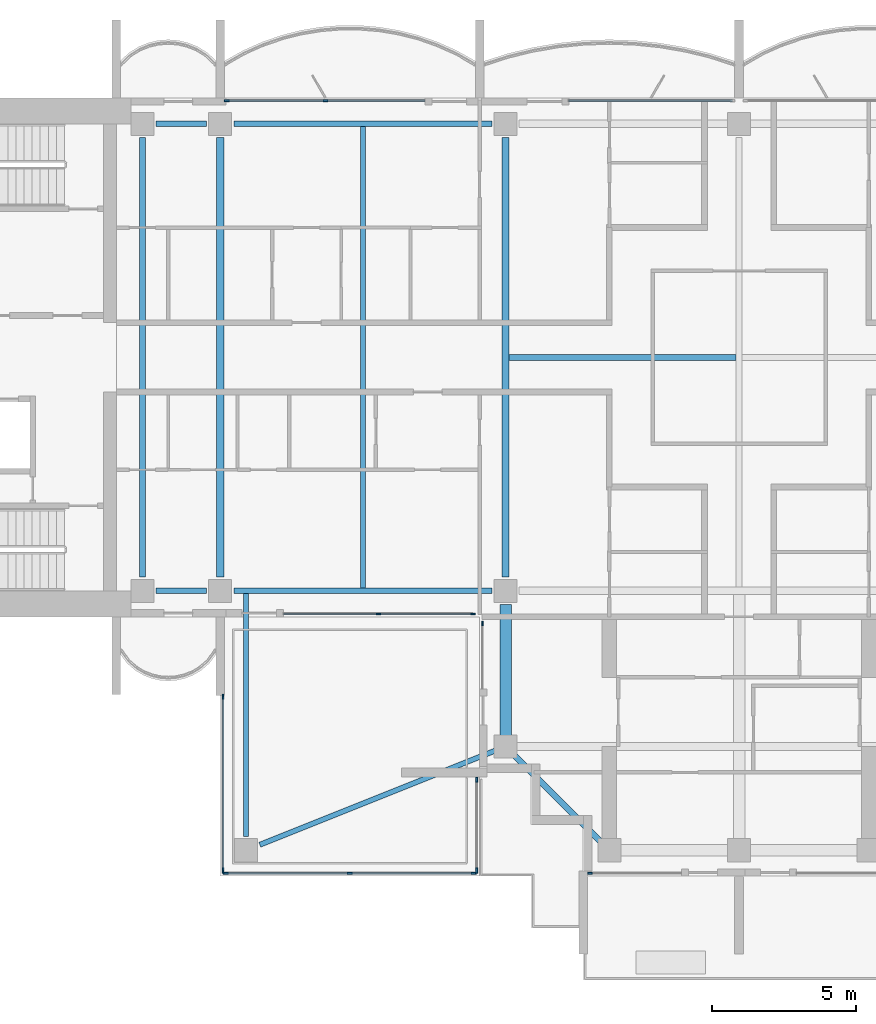
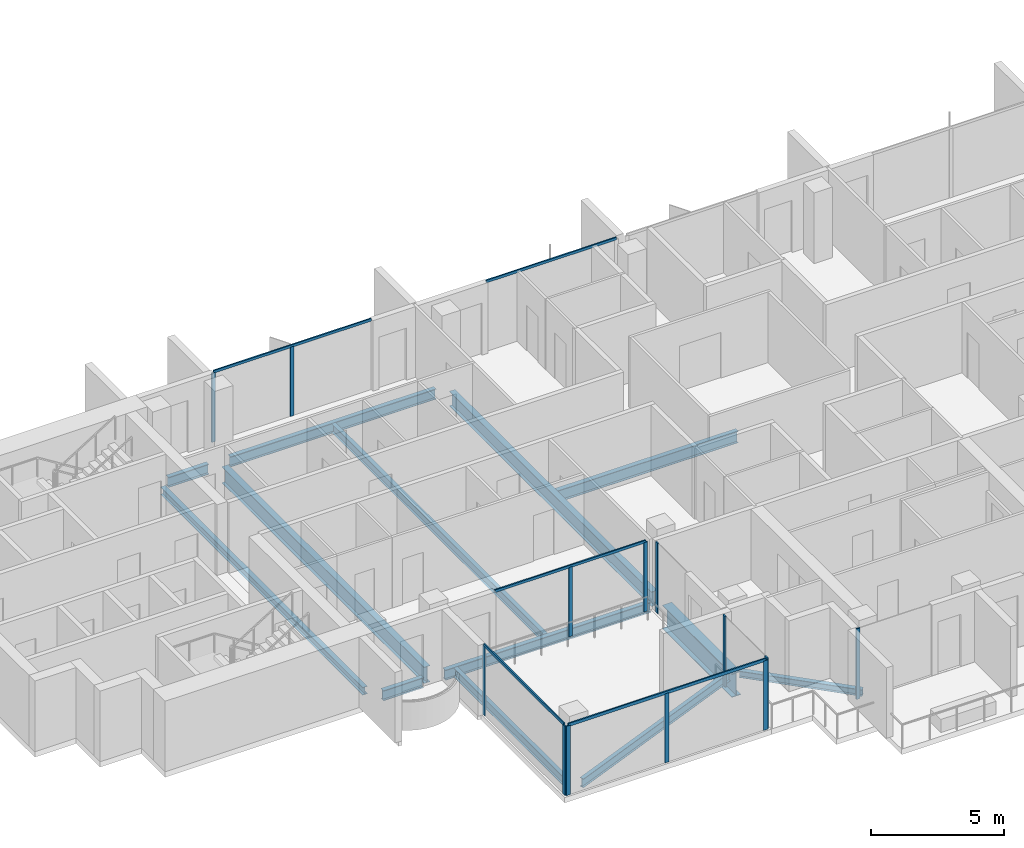
# One storey, part 2 of 16: 18 members, 13 beams, 8 elements without a shape of their own.
"""IFC4 building model written with IfcOpenShell, lengths in metres."""

import ifcopenshell
import ifcopenshell.guid

model = None  # the IFC model being written
_history = None  # IfcOwnerHistory: only IFC2X3 demands one
_inside = {}  # id of a spatial element -> (the spatial element, [elements in it])
_under = {}  # id of a project, library or spatial element -> (it, [spatial elements below it])
_declared = {}  # id of a project -> (the project, [libraries it declares])
_typed = {}  # id of a type object -> (the type object, [elements of that type])
_made_of = {}  # id of a material, layer set ... -> (it, [elements and type objects made of it])


def new_model(schema):
    """Start an empty IFC model of exactly this schema.

    Asked for "IFC4X3", IfcOpenShell would pick the latest addendum, in which some entities
    have other attributes; the version numbers below select the first issue.
    IFC2X3 requires an IfcOwnerHistory on every rooted entity: one is made here for all.
    """
    global model, _history
    if schema == "IFC4X3":
        model = ifcopenshell.file(schema_version=(4, 3, 0, 0))
    else:
        model = ifcopenshell.file(schema=schema)
    _inside.clear()
    _under.clear()
    _declared.clear()
    _typed.clear()
    _made_of.clear()
    _history = None
    if model.schema == "IFC2X3":
        org = make("IfcOrganization", Name="unknown")
        user = make(
            "IfcPersonAndOrganization",
            ThePerson=make("IfcPerson", FamilyName="unknown"),
            TheOrganization=org,
        )
        app = make(
            "IfcApplication",
            ApplicationDeveloper=org,
            Version="unknown",
            ApplicationFullName="unknown",
            ApplicationIdentifier="unknown",
        )
        _history = make(
            "IfcOwnerHistory",
            OwningUser=user,
            OwningApplication=app,
            ChangeAction="ADDED",
            CreationDate=0,
        )
    return model


def make(cls, **values):
    """One entity of the class cls with the attributes given. An attribute that is None is left unset."""
    return model.create_entity(
        cls, **{name: value for name, value in values.items() if value is not None}
    )


def rooted(cls, **values):
    """An entity with a GlobalId (a new one), such as an element, a storey or a relation."""
    return make(cls, GlobalId=ifcopenshell.guid.new(), OwnerHistory=_history, **values)


def si_unit(unit_type, name, prefix=None):
    """IfcSIUnit, for example si_unit("LENGTHUNIT", "METRE", prefix="MILLI")."""
    return make("IfcSIUnit", UnitType=unit_type, Prefix=prefix, Name=name)


def assignment(units):
    """IfcUnitAssignment: the units of a project."""
    return None if units is None else make("IfcUnitAssignment", Units=units)


def point(xyz):
    """IfcCartesianPoint."""
    return None if xyz is None else make("IfcCartesianPoint", Coordinates=xyz)


def direction(xyz):
    """IfcDirection."""
    return None if xyz is None else make("IfcDirection", DirectionRatios=xyz)


def frame(location, z_axis=None, x_axis=None):
    """IfcAxis2Placement3D, a coordinate frame: its origin and axes. An axis left out is left unset."""
    return make(
        "IfcAxis2Placement3D",
        Location=point(location),
        Axis=direction(z_axis),
        RefDirection=direction(x_axis),
    )


def frame_2d(location, x_axis=None):
    """IfcAxis2Placement2D, a coordinate frame in the plane: its origin and x axis."""
    return make(
        "IfcAxis2Placement2D", Location=point(location), RefDirection=direction(x_axis)
    )


def origin():
    """The frame at (0, 0, 0) with its axes left unset."""
    return frame((0.0, 0.0, 0.0))


def origin_2d():
    """The frame at (0, 0) in the plane with its x axis left unset."""
    return frame_2d((0.0, 0.0))


def place(relative_to, where):
    """IfcLocalPlacement: puts the frame where relative to a parent placement (None: the world)."""
    return make(
        "IfcLocalPlacement", PlacementRelTo=relative_to, RelativePlacement=where
    )


def context(
    kind, dimensions, precision=None, world=None, true_north=None, identifier=None
):
    """IfcGeometricRepresentationContext, for example the 3D "Model" context."""
    return make(
        "IfcGeometricRepresentationContext",
        ContextIdentifier=identifier,
        ContextType=kind,
        CoordinateSpaceDimension=dimensions,
        Precision=precision,
        WorldCoordinateSystem=world,
        TrueNorth=true_north,
    )


def subcontext(parent, identifier, kind, view, scale=None):
    """IfcGeometricRepresentationSubContext, for example "Body" below "Model"."""
    return make(
        "IfcGeometricRepresentationSubContext",
        ContextIdentifier=identifier,
        ContextType=kind,
        ParentContext=parent,
        TargetScale=scale,
        TargetView=view,
    )


def project(units=None, contexts=None):
    """IfcProject with its units and contexts."""
    return rooted(
        "IfcProject",
        Name="project",
        RepresentationContexts=contexts,
        UnitsInContext=assignment(units),
    )


def spatial(cls, under=None, at=None, **own):
    """A site, building, storey or space (cls), placed at a placement, below another one or the project."""
    s = rooted(cls, ObjectPlacement=at, **own)
    if under is not None:
        _under.setdefault(under.id(), (under, []))[1].append(s)
    return s


def profile(cls, at=None, kind="AREA", **sizes):
    """A parametric profile (cls). Its sizes go by their IFC names, for example OverallWidth=200.0."""
    return make(cls, ProfileType=kind, Position=at, **sizes)


def rectangle(**sizes):
    """IfcRectangleProfileDef."""
    return profile("IfcRectangleProfileDef", **sizes)


def i_section(**sizes):
    """IfcIShapeProfileDef."""
    return profile("IfcIShapeProfileDef", **sizes)


def extrude(swept, where, along, depth):
    """IfcExtrudedAreaSolid: the profile swept, set in the frame where, extruded along a direction by depth."""
    return make(
        "IfcExtrudedAreaSolid",
        SweptArea=swept,
        Position=where,
        ExtrudedDirection=direction(along),
        Depth=depth,
    )


def shape(context_of_items, identifier, shape_type, items):
    """IfcShapeRepresentation: the items that make up one representation, for example the "Body"."""
    return make(
        "IfcShapeRepresentation",
        ContextOfItems=context_of_items,
        RepresentationIdentifier=identifier,
        RepresentationType=shape_type,
        Items=items,
    )


def material(Name=None, Category=None):
    """IfcMaterial."""
    return make("IfcMaterial", Name=Name, Category=Category)


def material_profile(
    of_material, cross_section, Name=None, Category=None, Priority=None
):
    """IfcMaterialProfile: a cross section and its material."""
    return make(
        "IfcMaterialProfile",
        Name=Name,
        Material=of_material,
        Profile=cross_section,
        Priority=Priority,
        Category=Category,
    )


def profile_set(profiles, Name=None, composite=None):
    """IfcMaterialProfileSet."""
    return make(
        "IfcMaterialProfileSet",
        Name=Name,
        MaterialProfiles=profiles,
        CompositeProfile=composite,
    )


def made_of(thing, what):
    """Note that an element or type object is made of a material, layer set ...; save() writes the relation."""
    if what is not None:
        _made_of.setdefault(what.id(), (what, []))[1].append(thing)
    return thing


def type_object(cls, material=None, **own):
    """A type object (cls), such as IfcWallType, which elements share."""
    return made_of(rooted(cls, **own), material)


def element(
    cls,
    number,
    at=None,
    inside=None,
    cuts=None,
    type_object=None,
    material=None,
    context=None,
    identifier="Body",
    shape_type=None,
    held_by="IfcProductDefinitionShape",
    body=None,
    shapes=None,
    **own,
):
    """One element of the class cls, such as IfcWall. Its Tag is "e" and its number.

    at: its placement. inside: the storey or other place that contains it. cuts: it is an
    opening in that element (IfcRelVoidsElement). A single representation is given by context,
    identifier, shape_type and body (its items); several are given by shapes. held_by: the class
    of the entity that holds the representations. save() writes the other relations.
    """
    e = rooted(cls, Tag="e%d" % number, ObjectPlacement=at, **own)
    if body is not None:
        shapes = [shape(context, identifier, shape_type, body)]
    if shapes is not None:
        e.Representation = make(held_by, Representations=shapes)
    if inside is not None:
        _inside.setdefault(inside.id(), (inside, []))[1].append(e)
    if cuts is not None:
        rooted(
            "IfcRelVoidsElement", RelatingBuildingElement=cuts, RelatedOpeningElement=e
        )
    if type_object is not None:
        _typed.setdefault(type_object.id(), (type_object, []))[1].append(e)
    return made_of(e, material)


def aggregate(whole, parts):
    """IfcRelAggregates: a whole, such as a stair, and the parts it consists of."""
    return rooted("IfcRelAggregates", RelatingObject=whole, RelatedObjects=parts)


def save(model, path):
    """Write the relations noted so far, then the file.

    IfcRelAggregates (storeys below a building ...), IfcRelContainedInSpatialStructure (elements
    in a storey), IfcRelDefinesByType, IfcRelAssociatesMaterial and IfcRelDeclares: one each for
    every whole, place, type object, material and project.
    """
    for whole, parts in _under.values():
        aggregate(whole, parts)
    for where, things in _inside.values():
        rooted(
            "IfcRelContainedInSpatialStructure",
            RelatedElements=things,
            RelatingStructure=where,
        )
    for kind, things in _typed.values():
        rooted("IfcRelDefinesByType", RelatedObjects=things, RelatingType=kind)
    for what, things in _made_of.values():
        rooted("IfcRelAssociatesMaterial", RelatedObjects=things, RelatingMaterial=what)
    for by, libraries in _declared.values():
        rooted("IfcRelDeclares", RelatingContext=by, RelatedDefinitions=libraries)
    model.write(path)


model = new_model("IFC4")

# Units and contexts
model_context = context("Model", 3, precision=1e-05, world=origin(), true_north=direction((0.0, 1.0)))
body_context = subcontext(model_context, "Body", "Model", "MODEL_VIEW")
ifc_project = project(units=[si_unit("LENGTHUNIT", "METRE"), si_unit("AREAUNIT", "SQUARE_METRE"), si_unit("VOLUMEUNIT", "CUBIC_METRE"), si_unit("PLANEANGLEUNIT", "RADIAN"), si_unit("MASSUNIT", "GRAM", prefix="KILO")], contexts=[model_context])

# Site, building, storey
site_placement = place(None, origin())
site = spatial("IfcSite", under=ifc_project, at=site_placement, CompositionType="ELEMENT")
building_placement = place(site_placement, origin())
building = spatial("IfcBuilding", under=site, at=building_placement, Name="Perihelion Cross Residences", CompositionType="ELEMENT")
storey_placement = place(building_placement, frame((0.0, 0.0, 232.5)))
storey = spatial("IfcBuildingStorey", under=building, at=storey_placement, Name="L58", CompositionType="ELEMENT", Elevation=232.5)

# Curtain wall, members
ifc_material_1 = material(Name="Bronze anodised aluminium, tinted glazing", Category="aluminium")
curtain_wall_type_1 = type_object("IfcCurtainWallType", Name="CW1", PredefinedType="NOTDEFINED", material=ifc_material_1)
curtain_wall_1_placement = place(storey_placement, origin())
curtain_wall_1 = element("IfcCurtainWall", 1, at=curtain_wall_1_placement, inside=storey, type_object=curtain_wall_type_1, Name="Curtain wall CW1 L58 west side north bay 1", PredefinedType="NOTDEFINED")
ifc_material_2 = material(Name="Bronze anodised aluminium", Category="aluminium")
ifc_material_profile_1 = material_profile(ifc_material_2, rectangle(XDim=0.06005859375, YDim=0.159912109375, at=origin_2d()), Name="CW1 mullion")
ifc_profile_set_1 = profile_set([ifc_material_profile_1], Name="Bronze anodised aluminium")
member_type_1 = type_object("IfcMemberType", Name="CW1 mullion", PredefinedType="MULLION", material=ifc_profile_set_1)
member_1_placement = place(storey_placement, frame((-14.35009765625, 8.89990234375, 0.0), z_axis=(0.0, 0.0, 1.0), x_axis=(0.0, -1.0, 0.0)))
member_1 = element("IfcMember", 2, at=member_1_placement, type_object=member_type_1, Name="CW1 mullion 2", PredefinedType="MULLION", context=body_context, shape_type="SweptSolid", body=[
    extrude(rectangle(XDim=0.06005859375, YDim=0.159912109375, at=origin_2d()), origin(), (0.0, 0.0, 1.0), 3.18994140625),
])
member_2_placement = place(storey_placement, frame((-17.77001953125, 8.89990234375, 0.0), z_axis=(0.0, 0.0, 1.0), x_axis=(0.0, -1.0, 0.0)))
member_2 = element("IfcMember", 3, at=member_2_placement, type_object=member_type_1, Name="CW1 mullion 3", PredefinedType="MULLION", context=body_context, shape_type="SweptSolid", body=[
    extrude(rectangle(XDim=0.06005859375, YDim=0.159912109375, at=origin_2d()), origin(), (0.0, 0.0, 1.0), 3.18994140625),
])

curtain_wall_2_placement = place(storey_placement, origin())
curtain_wall_2 = element("IfcCurtainWall", 4, at=curtain_wall_2_placement, inside=storey, type_object=curtain_wall_type_1, Name="Curtain wall CW1 L58 west side south bay 2", PredefinedType="NOTDEFINED")
member_3_placement = place(storey_placement, frame((-12.5, -8.89990234375, 0.0), z_axis=(0.0, 0.0, 1.0), x_axis=(0.0, 1.0, 0.0)))
member_3 = element("IfcMember", 5, at=member_3_placement, type_object=member_type_1, Name="CW1 mullion 2", PredefinedType="MULLION", context=body_context, shape_type="SweptSolid", body=[
    extrude(rectangle(XDim=0.06005859375, YDim=0.159912109375, at=origin_2d()), origin(), (0.0, 0.0, 1.0), 3.18994140625),
])
member_4_placement = place(storey_placement, frame((-9.22998046875, -8.89990234375, 0.0), z_axis=(0.0, 0.0, 1.0), x_axis=(0.0, 1.0, 0.0)))
member_4 = element("IfcMember", 6, at=member_4_placement, type_object=member_type_1, Name="CW1 mullion 3", PredefinedType="MULLION", context=body_context, shape_type="SweptSolid", body=[
    extrude(rectangle(XDim=0.06005859375, YDim=0.159912109375, at=origin_2d()), origin(), (0.0, 0.0, 1.0), 3.18994140625),
])

# Curtain wall, member
curtain_wall_3_placement = place(storey_placement, origin())
curtain_wall_3 = element("IfcCurtainWall", 7, at=curtain_wall_3_placement, inside=storey, type_object=curtain_wall_type_1, Name="Curtain wall CW1 L58 south side west bay 1", PredefinedType="NOTDEFINED")
member_5_placement = place(storey_placement, frame((-8.89990234375, -9.22998046875, 0.0), z_axis=(0.0, 0.0, 1.0), x_axis=(1.0, 0.0, 0.0)))
member_5 = element("IfcMember", 8, at=member_5_placement, type_object=member_type_1, Name="CW1 mullion 1", PredefinedType="MULLION", context=body_context, shape_type="SweptSolid", body=[
    extrude(rectangle(XDim=0.06005859375, YDim=0.159912109375, at=origin_2d()), origin(), (0.0, 0.0, 1.0), 3.25),
])
aggregate(curtain_wall_3, [member_5])

curtain_wall_4_placement = place(storey_placement, origin())
curtain_wall_4 = element("IfcCurtainWall", 9, at=curtain_wall_4_placement, inside=storey, type_object=curtain_wall_type_1, Name="Curtain wall CW1 L58 south tip south bay 1", PredefinedType="NOTDEFINED")
member_6_placement = place(storey_placement, frame((-5.169921875, -17.89990234375, 0.0), z_axis=(0.0, 0.0, 1.0), x_axis=(0.0, 1.0, 0.0)))
member_6 = element("IfcMember", 10, at=member_6_placement, type_object=member_type_1, Name="CW1 mullion 1", PredefinedType="MULLION", context=body_context, shape_type="SweptSolid", body=[
    extrude(rectangle(XDim=0.06005859375, YDim=0.159912109375, at=origin_2d()), origin(), (0.0, 0.0, 1.0), 3.25),
])
aggregate(curtain_wall_4, [member_6])

curtain_wall_5_placement = place(storey_placement, origin())
curtain_wall_5 = element("IfcCurtainWall", 11, at=curtain_wall_5_placement, inside=storey, type_object=curtain_wall_type_1, Name="Curtain wall CW1 L58 north side east bay 2", PredefinedType="NOTDEFINED")
ifc_material_3 = material(Name="Bronze anodised aluminium", Category="aluminium")
ifc_material_profile_2 = material_profile(ifc_material_3, rectangle(XDim=0.06005859375, YDim=0.1201171875, at=origin_2d()), Name="CW1 transom")
ifc_profile_set_2 = profile_set([ifc_material_profile_2], Name="Bronze anodised aluminium")
member_type_2 = type_object("IfcMemberType", Name="CW1 transom", PredefinedType="USERDEFINED", material=ifc_profile_set_2)
member_7_placement = place(storey_placement, frame((-0.22998046875, 8.89990234375, 3.219970703125), z_axis=(-1.0, 0.0, 0.0), x_axis=(0.0, -1.0, 0.0)))
member_7 = element("IfcMember", 12, at=member_7_placement, type_object=member_type_2, Name="CW1 head transom", ObjectType="TRANSOM", PredefinedType="USERDEFINED", context=body_context, shape_type="SweptSolid", body=[
    extrude(rectangle(XDim=0.06005859375, YDim=0.1201171875, at=origin_2d()), origin(), (0.0, 0.0, 1.0), 5.669921875),
])
aggregate(curtain_wall_5, [member_7])

# Member
member_8_placement = place(storey_placement, frame((-10.89990234375, 8.89990234375, 3.219970703125), z_axis=(-1.0, 0.0, 0.0), x_axis=(0.0, -1.0, 0.0)))
member_8 = element("IfcMember", 13, at=member_8_placement, type_object=member_type_2, Name="CW1 head transom", ObjectType="TRANSOM", PredefinedType="USERDEFINED", context=body_context, shape_type="SweptSolid", body=[
    extrude(rectangle(XDim=0.06005859375, YDim=0.1201171875, at=origin_2d()), origin(), (0.0, 0.0, 1.0), 6.8701171875),
])

aggregate(curtain_wall_1, [member_1, member_2, member_8])

member_9_placement = place(storey_placement, frame((-15.800048828125, -8.89990234375, 3.219970703125), z_axis=(1.0, 0.0, 0.0), x_axis=(0.0, 1.0, 0.0)))
member_9 = element("IfcMember", 14, at=member_9_placement, type_object=member_type_2, Name="CW1 head transom", ObjectType="TRANSOM", PredefinedType="USERDEFINED", context=body_context, shape_type="SweptSolid", body=[
    extrude(rectangle(XDim=0.06005859375, YDim=0.1201171875, at=origin_2d()), origin(), (0.0, 0.0, 1.0), 6.570068359375),
])

aggregate(curtain_wall_2, [member_3, member_4, member_9])

# Curtain wall, members
ifc_material_4 = material(Name="Bronze anodised aluminium, tinted glazing", Category="aluminium")
curtain_wall_type_2 = type_object("IfcCurtainWallType", Name="CW4", PredefinedType="NOTDEFINED", material=ifc_material_4)
curtain_wall_6_placement = place(storey_placement, origin())
curtain_wall_6 = element("IfcCurtainWall", 15, at=curtain_wall_6_placement, inside=storey, type_object=curtain_wall_type_2, Name="Curtain wall CW4 L58 pocket south-west 1 1", PredefinedType="NOTDEFINED")
ifc_material_5 = material(Name="Bronze anodised aluminium", Category="aluminium")
ifc_material_profile_3 = material_profile(ifc_material_5, rectangle(XDim=0.06005859375, YDim=0.179931640625, at=origin_2d()), Name="CW4 mullion")
ifc_profile_set_3 = profile_set([ifc_material_profile_3], Name="Bronze anodised aluminium")
member_type_3 = type_object("IfcMemberType", Name="CW4 mullion", PredefinedType="MULLION", material=ifc_profile_set_3)
member_10_placement = place(storey_placement, frame((-9.10009765625, -14.658935546875, 0.0), z_axis=(0.0, 0.0, 1.0), x_axis=(1.0, 0.0, 0.0)))
member_10 = element("IfcMember", 16, at=member_10_placement, type_object=member_type_3, Name="CW4 mullion 1", PredefinedType="MULLION", context=body_context, shape_type="SweptSolid", body=[
    extrude(rectangle(XDim=0.06005859375, YDim=0.179931640625, at=origin_2d()), origin(), (0.0, 0.0, 1.0), 3.25),
])
member_11_placement = place(storey_placement, frame((-9.10009765625, -17.800048828125, 0.0), z_axis=(0.0, 0.0, 1.0), x_axis=(1.0, 0.0, 0.0)))
member_11 = element("IfcMember", 17, at=member_11_placement, type_object=member_type_3, Name="CW4 mullion 2", PredefinedType="MULLION", context=body_context, shape_type="SweptSolid", body=[
    extrude(rectangle(XDim=0.06005859375, YDim=0.179931640625, at=origin_2d()), origin(), (0.0, 0.0, 1.0), 3.25),
])
aggregate(curtain_wall_6, [member_10, member_11])

curtain_wall_7_placement = place(storey_placement, origin())
curtain_wall_7 = element("IfcCurtainWall", 18, at=curtain_wall_7_placement, inside=storey, type_object=curtain_wall_type_2, Name="Curtain wall CW4 L58 pocket south-west 1 2", PredefinedType="NOTDEFINED")
member_12_placement = place(storey_placement, frame((-9.199951171875, -17.89990234375, 0.0), z_axis=(0.0, 0.0, 1.0), x_axis=(0.0, -1.0, 0.0)))
member_12 = element("IfcMember", 19, at=member_12_placement, type_object=member_type_3, Name="CW4 mullion 1", PredefinedType="MULLION", context=body_context, shape_type="SweptSolid", body=[
    extrude(rectangle(XDim=0.06005859375, YDim=0.179931640625, at=origin_2d()), origin(), (0.0, 0.0, 1.0), 3.18994140625),
])
member_13_placement = place(storey_placement, frame((-13.5, -17.89990234375, 0.0), z_axis=(0.0, 0.0, 1.0), x_axis=(0.0, -1.0, 0.0)))
member_13 = element("IfcMember", 20, at=member_13_placement, type_object=member_type_3, Name="CW4 mullion 2", PredefinedType="MULLION", context=body_context, shape_type="SweptSolid", body=[
    extrude(rectangle(XDim=0.06005859375, YDim=0.179931640625, at=origin_2d()), origin(), (0.0, 0.0, 1.0), 3.18994140625),
])
member_14_placement = place(storey_placement, frame((-17.800048828125, -17.89990234375, 0.0), z_axis=(0.0, 0.0, 1.0), x_axis=(0.0, -1.0, 0.0)))
member_14 = element("IfcMember", 21, at=member_14_placement, type_object=member_type_3, Name="CW4 mullion 3", PredefinedType="MULLION", context=body_context, shape_type="SweptSolid", body=[
    extrude(rectangle(XDim=0.06005859375, YDim=0.179931640625, at=origin_2d()), origin(), (0.0, 0.0, 1.0), 3.18994140625),
])

curtain_wall_8_placement = place(storey_placement, origin())
curtain_wall_8 = element("IfcCurtainWall", 22, at=curtain_wall_8_placement, inside=storey, type_object=curtain_wall_type_2, Name="Curtain wall CW4 L58 pocket south-west 1 3", PredefinedType="NOTDEFINED")
member_15_placement = place(storey_placement, frame((-17.89990234375, -17.800048828125, 0.0), z_axis=(0.0, 0.0, 1.0), x_axis=(-1.0, 0.0, 0.0)))
member_15 = element("IfcMember", 23, at=member_15_placement, type_object=member_type_3, Name="CW4 mullion 1", PredefinedType="MULLION", context=body_context, shape_type="SweptSolid", body=[
    extrude(rectangle(XDim=0.06005859375, YDim=0.179931640625, at=origin_2d()), origin(), (0.0, 0.0, 1.0), 3.18994140625),
])
member_16_placement = place(storey_placement, frame((-17.89990234375, -11.77001953125, 0.0), z_axis=(0.0, 0.0, 1.0), x_axis=(-1.0, 0.0, 0.0)))
member_16 = element("IfcMember", 24, at=member_16_placement, type_object=member_type_3, Name="CW4 mullion 2", PredefinedType="MULLION", context=body_context, shape_type="SweptSolid", body=[
    extrude(rectangle(XDim=0.06005859375, YDim=0.179931640625, at=origin_2d()), origin(), (0.0, 0.0, 1.0), 3.18994140625),
])

# Member
ifc_material_6 = material(Name="Bronze anodised aluminium", Category="aluminium")
ifc_material_profile_4 = material_profile(ifc_material_6, rectangle(XDim=0.06005859375, YDim=0.139892578125, at=origin_2d()), Name="CW4 transom")
ifc_profile_set_4 = profile_set([ifc_material_profile_4], Name="Bronze anodised aluminium")
member_type_4 = type_object("IfcMemberType", Name="CW4 transom", PredefinedType="USERDEFINED", material=ifc_profile_set_4)
member_17_placement = place(storey_placement, frame((-9.199951171875, -17.89990234375, 3.219970703125), z_axis=(-1.0, 0.0, 0.0), x_axis=(0.0, -1.0, 0.0)))
member_17 = element("IfcMember", 25, at=member_17_placement, type_object=member_type_4, Name="CW4 head transom", ObjectType="TRANSOM", PredefinedType="USERDEFINED", context=body_context, shape_type="SweptSolid", body=[
    extrude(rectangle(XDim=0.06005859375, YDim=0.139892578125, at=origin_2d()), origin(), (0.0, 0.0, 1.0), 8.60009765625),
])

aggregate(curtain_wall_7, [member_12, member_13, member_14, member_17])

member_18_placement = place(storey_placement, frame((-17.89990234375, -17.800048828125, 3.219970703125), z_axis=(0.0, 1.0, 0.0), x_axis=(-1.0, 0.0, 0.0)))
member_18 = element("IfcMember", 26, at=member_18_placement, type_object=member_type_4, Name="CW4 head transom", ObjectType="TRANSOM", PredefinedType="USERDEFINED", context=body_context, shape_type="SweptSolid", body=[
    extrude(rectangle(XDim=0.06005859375, YDim=0.139892578125, at=origin_2d()), origin(), (0.0, 0.0, 1.0), 6.030029296875),
])

aggregate(curtain_wall_8, [member_15, member_16, member_18])

# Beams
ifc_material_7 = material(Name="Steel S355", Category="steel")
ifc_material_profile_5 = material_profile(ifc_material_7, i_section(OverallWidth=0.205078125, OverallDepth=0.35302734375, WebThickness=0.009521484375, FlangeThickness=0.016845703125, at=origin_2d()), Name="W360x79")
ifc_profile_set_5 = profile_set([ifc_material_profile_5], Name="Steel S355")
beam_type_1 = type_object("IfcBeamType", Name="Core edge beam W360x79", PredefinedType="BEAM", material=ifc_profile_set_5)
beam_1_placement = place(storey_placement, frame((-20.699951171875, -7.625, -0.426513671875), z_axis=(0.0, 1.0, 0.0), x_axis=(-1.0, 0.0, 0.0)))
element("IfcBeam", 27, at=beam_1_placement, inside=storey, type_object=beam_type_1, Name="Core edge beam TB7 L58 no. 1", PredefinedType="BEAM", context=body_context, shape_type="SweptSolid", body=[
    extrude(i_section(OverallWidth=0.205078125, OverallDepth=0.35302734375, WebThickness=0.009521484375, FlangeThickness=0.016845703125, at=origin_2d()), origin(), (0.0, 0.0, 1.0), 15.25),
])
ifc_material_8 = material(Name="Steel S355", Category="steel")
ifc_material_profile_6 = material_profile(ifc_material_8, i_section(OverallWidth=0.177978515625, OverallDepth=0.406005859375, WebThickness=0.0078125, FlangeThickness=0.0126953125, at=origin_2d()), Name="W410x60")
ifc_profile_set_6 = profile_set([ifc_material_profile_6], Name="Steel S355")
beam_type_2 = type_object("IfcBeamType", Name="Core edge beam W410x60", PredefinedType="BEAM", material=ifc_profile_set_6)
beam_2_placement = place(storey_placement, frame((-17.10009765625, -8.197021484375, -0.452880859375), z_axis=(0.0, -1.0, 0.0), x_axis=(1.0, 0.0, 0.0)))
element("IfcBeam", 28, at=beam_2_placement, inside=storey, type_object=beam_type_2, Name="Core edge beam TB2 L58 corner no. 1", PredefinedType="BEAM", context=body_context, shape_type="SweptSolid", body=[
    extrude(i_section(OverallWidth=0.177978515625, OverallDepth=0.406005859375, WebThickness=0.0078125, FlangeThickness=0.0126953125, at=origin_2d()), origin(), (0.0, 0.0, 1.0), 8.427978515625),
])
beam_3_placement = place(storey_placement, frame((-8.300537109375, -13.580078125, -0.452880859375), z_axis=(-0.928474812915, -0.371395371245, 0.0), x_axis=(0.371395371245, -0.928474812915, 0.0)))
element("IfcBeam", 29, at=beam_3_placement, inside=storey, type_object=beam_type_2, Name="Core edge beam TB2 L58 corner no. 2", PredefinedType="BEAM", context=body_context, shape_type="SweptSolid", body=[
    extrude(i_section(OverallWidth=0.177978515625, OverallDepth=0.406005859375, WebThickness=0.0078125, FlangeThickness=0.0126953125, at=origin_2d()), origin(), (0.0, 0.0, 1.0), 8.9658203125),
])
ifc_material_9 = material(Name="Steel S355", Category="steel")
ifc_material_profile_7 = material_profile(ifc_material_9, i_section(OverallWidth=0.194091796875, OverallDepth=0.469970703125, WebThickness=0.0126953125, FlangeThickness=0.0205078125, at=origin_2d()), Name="W460x106")
ifc_profile_set_7 = profile_set([ifc_material_profile_7], Name="Steel S355")
beam_type_3 = type_object("IfcBeamType", Name="Edge beam W460x106", PredefinedType="SPANDREL", material=ifc_profile_set_7)
beam_4_placement = place(storey_placement, frame((-8.574951171875, 8.10009765625, -0.485107421875), z_axis=(-1.0, 0.0, 0.0), x_axis=(0.0, -1.0, 0.0)))
element("IfcBeam", 30, at=beam_4_placement, inside=storey, type_object=beam_type_3, Name="Edge beam SB5 L58 no. 4", PredefinedType="SPANDREL", context=body_context, shape_type="SweptSolid", body=[
    extrude(i_section(OverallWidth=0.194091796875, OverallDepth=0.469970703125, WebThickness=0.0126953125, FlangeThickness=0.0205078125, at=origin_2d()), origin(), (0.0, 0.0, 1.0), 8.949951171875),
])
for number, where, z_axis, x_axis, name in (
    (31, (-18.47509765625, 8.10009765625, -0.485107421875), (-1.0, 0.0, 0.0), (0.0, -1.0, 0.0), "Edge beam SB5 L58 no. 2"),
    (32, (-20.22509765625, -8.10009765625, -0.485107421875), (1.0, 0.0, 0.0), (0.0, 1.0, 0.0), "Edge beam SB5 L58 no. 3"),
):
    element("IfcBeam", number, at=place(storey_placement, frame(where, z_axis=z_axis, x_axis=x_axis)), inside=storey, type_object=beam_type_3, Name=name, PredefinedType="SPANDREL", context=body_context, shape_type="SweptSolid", body=[
        extrude(i_section(OverallWidth=0.194091796875, OverallDepth=0.469970703125, WebThickness=0.0126953125, FlangeThickness=0.0205078125, at=origin_2d()), origin(), (0.0, 0.0, 1.0), 1.75),
    ])
beam_5_placement = place(storey_placement, frame((-17.52490234375, -8.10009765625, -0.485107421875), z_axis=(1.0, 0.0, 0.0), x_axis=(0.0, 1.0, 0.0)))
element("IfcBeam", 33, at=beam_5_placement, inside=storey, type_object=beam_type_3, Name="Edge beam SB5 L58 no. 1", PredefinedType="SPANDREL", context=body_context, shape_type="SweptSolid", body=[
    extrude(i_section(OverallWidth=0.194091796875, OverallDepth=0.469970703125, WebThickness=0.0126953125, FlangeThickness=0.0205078125, at=origin_2d()), origin(), (0.0, 0.0, 1.0), 8.949951171875),
])
ifc_material_10 = material(Name="Steel S355", Category="steel")
ifc_material_profile_8 = material_profile(ifc_material_10, i_section(OverallWidth=0.26708984375, OverallDepth=0.75390625, WebThickness=0.01318359375, FlangeThickness=0.01708984375, at=origin_2d()), Name="W760x147")
ifc_profile_set_8 = profile_set([ifc_material_profile_8], Name="Steel S355")
beam_type_4 = type_object("IfcBeamType", Name="Floor girder W760x147", PredefinedType="BEAM", material=ifc_profile_set_8)
beam_6_placement = place(storey_placement, frame((-18.0, -7.625, -0.626953125), z_axis=(0.0, 1.0, 0.0), x_axis=(-1.0, 0.0, 0.0)))
element("IfcBeam", 34, at=beam_6_placement, inside=storey, type_object=beam_type_4, Name="Girder G5 L58 no. 1", PredefinedType="BEAM", context=body_context, shape_type="SweptSolid", body=[
    extrude(i_section(OverallWidth=0.26708984375, OverallDepth=0.75390625, WebThickness=0.01318359375, FlangeThickness=0.01708984375, at=origin_2d()), origin(), (0.0, 0.0, 1.0), 15.25),
])
ifc_material_11 = material(Name="Steel S355", Category="steel")
ifc_material_profile_9 = material_profile(ifc_material_11, i_section(OverallWidth=0.177978515625, OverallDepth=0.406005859375, WebThickness=0.0078125, FlangeThickness=0.0126953125, at=origin_2d()), Name="W410x60")
ifc_profile_set_9 = profile_set([ifc_material_profile_9], Name="Steel S355")
beam_type_5 = type_object("IfcBeamType", Name="Floor joist W410x60", PredefinedType="JOIST", material=ifc_profile_set_9)
beam_7_placement = place(storey_placement, frame((-13.050048828125, -8.0029296875, -0.452880859375), z_axis=(0.0, 1.0, 0.0), x_axis=(-1.0, 0.0, 0.0)))
element("IfcBeam", 35, at=beam_7_placement, inside=storey, type_object=beam_type_5, Name="Joist J6 L58 no. 1", PredefinedType="JOIST", context=body_context, shape_type="SweptSolid", body=[
    extrude(i_section(OverallWidth=0.177978515625, OverallDepth=0.406005859375, WebThickness=0.0078125, FlangeThickness=0.0126953125, at=origin_2d()), origin(), (0.0, 0.0, 1.0), 16.005859375),
])
ifc_material_12 = material(Name="Steel S355", Category="steel")
ifc_material_profile_10 = material_profile(ifc_material_12, i_section(OverallWidth=0.208984375, OverallDepth=0.532958984375, WebThickness=0.01025390625, FlangeThickness=0.015625, at=origin_2d()), Name="W530x92")
ifc_profile_set_10 = profile_set([ifc_material_profile_10], Name="Steel S355")
beam_type_6 = type_object("IfcBeamType", Name="Hub cross beam W530x92", PredefinedType="BEAM", material=ifc_profile_set_10)
beam_8_placement = place(storey_placement, frame((-7.972900390625, 0.0, -0.5166015625), z_axis=(1.0, 0.0, 0.0), x_axis=(0.0, 1.0, 0.0)))
element("IfcBeam", 36, at=beam_8_placement, inside=storey, type_object=beam_type_6, Name="Hub cross beam XB5 L58 1 no. 1", PredefinedType="BEAM", context=body_context, shape_type="SweptSolid", body=[
    extrude(i_section(OverallWidth=0.208984375, OverallDepth=0.532958984375, WebThickness=0.01025390625, FlangeThickness=0.015625, at=origin_2d()), origin(), (0.0, 0.0, 1.0), 7.868408203125),
])
ifc_material_13 = material(Name="Steel S355", Category="steel")
ifc_material_profile_11 = material_profile(ifc_material_13, i_section(OverallWidth=0.25390625, OverallDepth=0.677978515625, WebThickness=0.01171875, FlangeThickness=0.016357421875, at=origin_2d()), Name="W690x125")
ifc_profile_set_11 = profile_set([ifc_material_profile_11], Name="Steel S355")
beam_type_7 = type_object("IfcBeamType", Name="Hub ring girder W690x125", PredefinedType="BEAM", material=ifc_profile_set_11)
beam_9_placement = place(storey_placement, frame((-8.10009765625, 7.625, -0.589111328125), z_axis=(0.0, -1.0, 0.0), x_axis=(1.0, 0.0, 0.0)))
element("IfcBeam", 37, at=beam_9_placement, inside=storey, type_object=beam_type_7, Name="Hub ring girder RG5 L58 no. 2", PredefinedType="BEAM", context=body_context, shape_type="SweptSolid", body=[
    extrude(i_section(OverallWidth=0.25390625, OverallDepth=0.677978515625, WebThickness=0.01171875, FlangeThickness=0.016357421875, at=origin_2d()), origin(), (0.0, 0.0, 1.0), 15.25),
])
ifc_material_14 = material(Name="Steel S355", Category="steel")
ifc_material_profile_12 = material_profile(ifc_material_14, i_section(OverallWidth=0.202880859375, OverallDepth=0.302001953125, WebThickness=0.007568359375, FlangeThickness=0.01318359375, at=origin_2d()), Name="W310x60")
ifc_profile_set_12 = profile_set([ifc_material_profile_12], Name="Steel S355")
beam_type_8 = type_object("IfcBeamType", Name="Serration edge beam W310x60", PredefinedType="BEAM", material=ifc_profile_set_12)
beam_10_placement = place(storey_placement, frame((-7.8994140625, -13.700439453125, -0.40087890625), z_axis=(0.707081389988, -0.707132171473, 0.0), x_axis=(0.707132171473, 0.707081389988, 0.0)))
element("IfcBeam", 38, at=beam_10_placement, inside=storey, type_object=beam_type_8, Name="Serration edge beam EB5 L58 no. 1", PredefinedType="BEAM", context=body_context, shape_type="SweptSolid", body=[
    extrude(i_section(OverallWidth=0.202880859375, OverallDepth=0.302001953125, WebThickness=0.007568359375, FlangeThickness=0.01318359375, at=origin_2d()), origin(), (0.0, 0.0, 1.0), 4.8076171875),
])
ifc_material_15 = material(Name="Steel S355", Category="steel")
ifc_material_profile_13 = material_profile(ifc_material_15, i_section(OverallWidth=0.40087890625, OverallDepth=1.090087890625, WebThickness=0.01806640625, FlangeThickness=0.031005859375, at=origin_2d()), Name="W1100x343")
ifc_profile_set_13 = profile_set([ifc_material_profile_13], Name="Steel S355")
beam_type_9 = type_object("IfcBeamType", Name="Transfer girder W1100x343", PredefinedType="BEAM", material=ifc_profile_set_13)
beam_11_placement = place(storey_placement, frame((-8.10009765625, -13.800048828125, -0.794921875), z_axis=(0.0, 1.0, 0.0), x_axis=(-1.0, 0.0, 0.0)))
element("IfcBeam", 39, at=beam_11_placement, inside=storey, type_object=beam_type_9, Name="Girder TG1 L58 transfer no. 1", PredefinedType="BEAM", context=body_context, shape_type="SweptSolid", body=[
    extrude(i_section(OverallWidth=0.40087890625, OverallDepth=1.090087890625, WebThickness=0.01806640625, FlangeThickness=0.031005859375, at=origin_2d()), origin(), (0.0, 0.0, 1.0), 5.22509765625),
])

save(model, "model.ifc")
